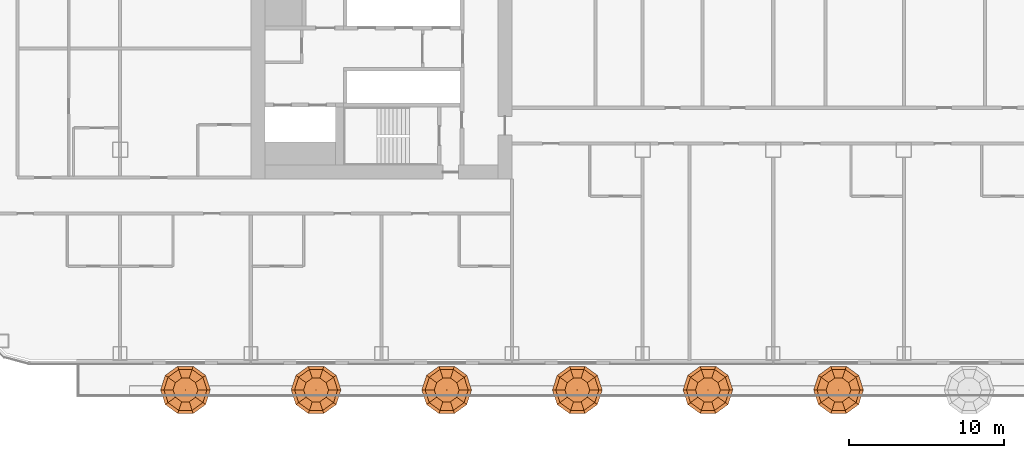
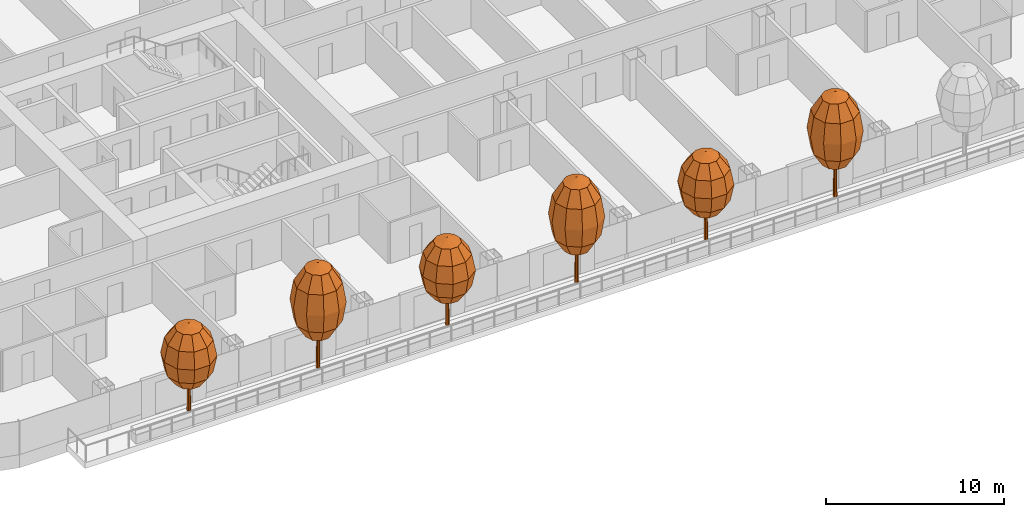
# One storey, part 32 of 35: 6 geographic elements.
"""IFC4 building model written with IfcOpenShell, lengths in metres."""

from ifc_helpers import new_model, si_unit, direction, frame, origin, place, context, subcontext, project, spatial, triangles, material, type_object, element, save


model = new_model("IFC4")

# Units and contexts
model_context = context("Model", 3, precision=1e-05, world=origin(), true_north=direction((0.0, 1.0)))
body_context = subcontext(model_context, "Body", "Model", "MODEL_VIEW")
ifc_project = project(units=[si_unit("LENGTHUNIT", "METRE"), si_unit("AREAUNIT", "SQUARE_METRE"), si_unit("VOLUMEUNIT", "CUBIC_METRE"), si_unit("PLANEANGLEUNIT", "RADIAN"), si_unit("MASSUNIT", "GRAM", prefix="KILO")], contexts=[model_context])

# Site, building, storey
site_placement = place(None, origin())
site = spatial("IfcSite", under=ifc_project, at=site_placement, CompositionType="ELEMENT")
building_placement = place(site_placement, origin())
building = spatial("IfcBuilding", under=site, at=building_placement, Name="Hakoniwa Tower and Hamabe Station Hall", CompositionType="ELEMENT")
storey_placement = place(building_placement, frame((0.0, 0.0, 51.800048828125)))
storey = spatial("IfcBuildingStorey", under=building, at=storey_placement, Name="L14", CompositionType="ELEMENT", Elevation=51.800048828125)

# Geographic elements
ifc_material_1 = material(Name="Tree foliage")
geographic_element_type_1 = type_object("IfcGeographicElementType", Name="Japanese maple 7.2 m", PredefinedType="USERDEFINED", material=ifc_material_1)
geographic_element_1_placement = place(storey_placement, frame((-29.39990234375, -21.949951171875, 0.89990234375)))
element("IfcGeographicElement", 1, at=geographic_element_1_placement, inside=storey, type_object=geographic_element_type_1, Name="Japanese maple 7-2 m", ObjectType="TREE", PredefinedType="USERDEFINED", context=body_context, shape_type="Tessellation", body=[
    triangles([(0.125, 0.0, 0.0), (0.08837890625, 0.08837890625, 0.0), (0.0, 0.125, 0.0), (-0.08837890625, 0.08837890625, 0.0), (-0.125, 0.0, 0.0), (-0.08837890625, -0.08837890625, 0.0), (0.0, -0.125, 0.0), (0.08837890625, -0.08837890625, 0.0), (0.074951171875, 0.0, 4.348876953125), (0.052978515625, 0.052978515625, 4.348876953125), (0.0, 0.074951171875, 4.348876953125), (-0.052978515625, 0.052978515625, 4.348876953125), (-0.074951171875, 0.0, 4.348876953125), (-0.052978515625, -0.052978515625, 4.348876953125), (0.0, -0.074951171875, 4.348876953125), (0.052978515625, -0.052978515625, 4.348876953125), (0.0, 0.0, 0.0), (0.0, 0.0, 4.348876953125)], [[1, 2, 10], [1, 10, 9], [17, 2, 1], [18, 9, 10], [2, 3, 11], [2, 11, 10], [17, 3, 2], [18, 10, 11], [3, 4, 12], [3, 12, 11], [17, 4, 3], [18, 11, 12], [4, 5, 13], [4, 13, 12], [17, 5, 4], [18, 12, 13], [5, 6, 14], [5, 14, 13], [17, 6, 5], [18, 13, 14], [6, 7, 15], [6, 15, 14], [17, 7, 6], [18, 14, 15], [7, 8, 16], [7, 16, 15], [17, 8, 7], [18, 15, 16], [8, 1, 9], [8, 9, 16], [17, 1, 8], [18, 16, 9]], closed=True),
    triangles([(0.0, 0.0, 2.015869140625), (0.800048828125, 0.0, 2.36328125), (0.647216796875, 0.47021484375, 2.36328125), (0.247314453125, 0.7607421875, 2.36328125), (-0.247314453125, 0.7607421875, 2.36328125), (-0.647216796875, 0.47021484375, 2.36328125), (-0.800048828125, 0.0, 2.36328125), (-0.647216796875, -0.47021484375, 2.36328125), (-0.247314453125, -0.7607421875, 2.36328125), (0.247314453125, -0.7607421875, 2.36328125), (0.647216796875, -0.47021484375, 2.36328125), (1.385498046875, 0.0, 3.31201171875), (1.12109375, 0.814453125, 3.31201171875), (0.42822265625, 1.31787109375, 3.31201171875), (-0.42822265625, 1.31787109375, 3.31201171875), (-1.12109375, 0.814453125, 3.31201171875), (-1.385498046875, 0.0, 3.31201171875), (-1.12109375, -0.814453125, 3.31201171875), (-0.42822265625, -1.31787109375, 3.31201171875), (0.42822265625, -1.31787109375, 3.31201171875), (1.12109375, -0.814453125, 3.31201171875), (1.60009765625, 0.0, 4.60791015625), (1.29443359375, 0.9404296875, 4.60791015625), (0.494384765625, 1.521728515625, 4.60791015625), (-0.494384765625, 1.521728515625, 4.60791015625), (-1.29443359375, 0.9404296875, 4.60791015625), (-1.60009765625, 0.0, 4.60791015625), (-1.29443359375, -0.9404296875, 4.60791015625), (-0.494384765625, -1.521728515625, 4.60791015625), (0.494384765625, -1.521728515625, 4.60791015625), (1.29443359375, -0.9404296875, 4.60791015625), (1.385498046875, 0.0, 5.904052734375), (1.12109375, 0.814453125, 5.904052734375), (0.42822265625, 1.31787109375, 5.904052734375), (-0.42822265625, 1.31787109375, 5.904052734375), (-1.12109375, 0.814453125, 5.904052734375), (-1.385498046875, 0.0, 5.904052734375), (-1.12109375, -0.814453125, 5.904052734375), (-0.42822265625, -1.31787109375, 5.904052734375), (0.42822265625, -1.31787109375, 5.904052734375), (1.12109375, -0.814453125, 5.904052734375), (0.800048828125, 0.0, 6.852783203125), (0.647216796875, 0.47021484375, 6.852783203125), (0.247314453125, 0.7607421875, 6.852783203125), (-0.247314453125, 0.7607421875, 6.852783203125), (-0.647216796875, 0.47021484375, 6.852783203125), (-0.800048828125, 0.0, 6.852783203125), (-0.647216796875, -0.47021484375, 6.852783203125), (-0.247314453125, -0.7607421875, 6.852783203125), (0.247314453125, -0.7607421875, 6.852783203125), (0.647216796875, -0.47021484375, 6.852783203125), (0.0, 0.0, 7.199951171875)], [[1, 3, 2], [1, 4, 3], [1, 5, 4], [1, 6, 5], [1, 7, 6], [1, 8, 7], [1, 9, 8], [1, 10, 9], [1, 11, 10], [1, 2, 11], [2, 3, 13], [2, 13, 12], [3, 4, 14], [3, 14, 13], [4, 5, 15], [4, 15, 14], [5, 6, 16], [5, 16, 15], [6, 7, 17], [6, 17, 16], [7, 8, 18], [7, 18, 17], [8, 9, 19], [8, 19, 18], [9, 10, 20], [9, 20, 19], [10, 11, 21], [10, 21, 20], [11, 2, 12], [11, 12, 21], [12, 13, 23], [12, 23, 22], [13, 14, 24], [13, 24, 23], [14, 15, 25], [14, 25, 24], [15, 16, 26], [15, 26, 25], [16, 17, 27], [16, 27, 26], [17, 18, 28], [17, 28, 27], [18, 19, 29], [18, 29, 28], [19, 20, 30], [19, 30, 29], [20, 21, 31], [20, 31, 30], [21, 12, 22], [21, 22, 31], [22, 23, 33], [22, 33, 32], [23, 24, 34], [23, 34, 33], [24, 25, 35], [24, 35, 34], [25, 26, 36], [25, 36, 35], [26, 27, 37], [26, 37, 36], [27, 28, 38], [27, 38, 37], [28, 29, 39], [28, 39, 38], [29, 30, 40], [29, 40, 39], [30, 31, 41], [30, 41, 40], [31, 22, 32], [31, 32, 41], [32, 33, 43], [32, 43, 42], [33, 34, 44], [33, 44, 43], [34, 35, 45], [34, 45, 44], [35, 36, 46], [35, 46, 45], [36, 37, 47], [36, 47, 46], [37, 38, 48], [37, 48, 47], [38, 39, 49], [38, 49, 48], [39, 40, 50], [39, 50, 49], [40, 41, 51], [40, 51, 50], [41, 32, 42], [41, 42, 51], [52, 42, 43], [52, 43, 44], [52, 44, 45], [52, 45, 46], [52, 46, 47], [52, 47, 48], [52, 48, 49], [52, 49, 50], [52, 50, 51], [52, 51, 42]], closed=True),
])
geographic_element_2_placement = place(storey_placement, frame((-12.60009765625, -21.949951171875, 0.89990234375)))
element("IfcGeographicElement", 2, at=geographic_element_2_placement, inside=storey, type_object=geographic_element_type_1, Name="Japanese maple 7-2 m", ObjectType="TREE", PredefinedType="USERDEFINED", context=body_context, shape_type="Tessellation", body=[
    triangles([(0.125, 0.0, 0.0), (0.08837890625, 0.08837890625, 0.0), (0.0, 0.125, 0.0), (-0.08837890625, 0.08837890625, 0.0), (-0.125, 0.0, 0.0), (-0.08837890625, -0.08837890625, 0.0), (0.0, -0.125, 0.0), (0.08837890625, -0.08837890625, 0.0), (0.074951171875, 0.0, 4.348876953125), (0.052978515625, 0.052978515625, 4.348876953125), (0.0, 0.074951171875, 4.348876953125), (-0.052978515625, 0.052978515625, 4.348876953125), (-0.074951171875, 0.0, 4.348876953125), (-0.052978515625, -0.052978515625, 4.348876953125), (0.0, -0.074951171875, 4.348876953125), (0.052978515625, -0.052978515625, 4.348876953125), (0.0, 0.0, 0.0), (0.0, 0.0, 4.348876953125)], [[1, 2, 10], [1, 10, 9], [17, 2, 1], [18, 9, 10], [2, 3, 11], [2, 11, 10], [17, 3, 2], [18, 10, 11], [3, 4, 12], [3, 12, 11], [17, 4, 3], [18, 11, 12], [4, 5, 13], [4, 13, 12], [17, 5, 4], [18, 12, 13], [5, 6, 14], [5, 14, 13], [17, 6, 5], [18, 13, 14], [6, 7, 15], [6, 15, 14], [17, 7, 6], [18, 14, 15], [7, 8, 16], [7, 16, 15], [17, 8, 7], [18, 15, 16], [8, 1, 9], [8, 9, 16], [17, 1, 8], [18, 16, 9]], closed=True),
    triangles([(0.0, 0.0, 2.015869140625), (0.800048828125, 0.0, 2.36328125), (0.647216796875, 0.47021484375, 2.36328125), (0.247314453125, 0.7607421875, 2.36328125), (-0.247314453125, 0.7607421875, 2.36328125), (-0.647216796875, 0.47021484375, 2.36328125), (-0.800048828125, 0.0, 2.36328125), (-0.647216796875, -0.47021484375, 2.36328125), (-0.247314453125, -0.7607421875, 2.36328125), (0.247314453125, -0.7607421875, 2.36328125), (0.647216796875, -0.47021484375, 2.36328125), (1.385498046875, 0.0, 3.31201171875), (1.12109375, 0.814453125, 3.31201171875), (0.42822265625, 1.31787109375, 3.31201171875), (-0.42822265625, 1.31787109375, 3.31201171875), (-1.12109375, 0.814453125, 3.31201171875), (-1.385498046875, 0.0, 3.31201171875), (-1.12109375, -0.814453125, 3.31201171875), (-0.42822265625, -1.31787109375, 3.31201171875), (0.42822265625, -1.31787109375, 3.31201171875), (1.12109375, -0.814453125, 3.31201171875), (1.60009765625, 0.0, 4.60791015625), (1.29443359375, 0.9404296875, 4.60791015625), (0.494384765625, 1.521728515625, 4.60791015625), (-0.494384765625, 1.521728515625, 4.60791015625), (-1.29443359375, 0.9404296875, 4.60791015625), (-1.60009765625, 0.0, 4.60791015625), (-1.29443359375, -0.9404296875, 4.60791015625), (-0.494384765625, -1.521728515625, 4.60791015625), (0.494384765625, -1.521728515625, 4.60791015625), (1.29443359375, -0.9404296875, 4.60791015625), (1.385498046875, 0.0, 5.904052734375), (1.12109375, 0.814453125, 5.904052734375), (0.42822265625, 1.31787109375, 5.904052734375), (-0.42822265625, 1.31787109375, 5.904052734375), (-1.12109375, 0.814453125, 5.904052734375), (-1.385498046875, 0.0, 5.904052734375), (-1.12109375, -0.814453125, 5.904052734375), (-0.42822265625, -1.31787109375, 5.904052734375), (0.42822265625, -1.31787109375, 5.904052734375), (1.12109375, -0.814453125, 5.904052734375), (0.800048828125, 0.0, 6.852783203125), (0.647216796875, 0.47021484375, 6.852783203125), (0.247314453125, 0.7607421875, 6.852783203125), (-0.247314453125, 0.7607421875, 6.852783203125), (-0.647216796875, 0.47021484375, 6.852783203125), (-0.800048828125, 0.0, 6.852783203125), (-0.647216796875, -0.47021484375, 6.852783203125), (-0.247314453125, -0.7607421875, 6.852783203125), (0.247314453125, -0.7607421875, 6.852783203125), (0.647216796875, -0.47021484375, 6.852783203125), (0.0, 0.0, 7.199951171875)], [[1, 3, 2], [1, 4, 3], [1, 5, 4], [1, 6, 5], [1, 7, 6], [1, 8, 7], [1, 9, 8], [1, 10, 9], [1, 11, 10], [1, 2, 11], [2, 3, 13], [2, 13, 12], [3, 4, 14], [3, 14, 13], [4, 5, 15], [4, 15, 14], [5, 6, 16], [5, 16, 15], [6, 7, 17], [6, 17, 16], [7, 8, 18], [7, 18, 17], [8, 9, 19], [8, 19, 18], [9, 10, 20], [9, 20, 19], [10, 11, 21], [10, 21, 20], [11, 2, 12], [11, 12, 21], [12, 13, 23], [12, 23, 22], [13, 14, 24], [13, 24, 23], [14, 15, 25], [14, 25, 24], [15, 16, 26], [15, 26, 25], [16, 17, 27], [16, 27, 26], [17, 18, 28], [17, 28, 27], [18, 19, 29], [18, 29, 28], [19, 20, 30], [19, 30, 29], [20, 21, 31], [20, 31, 30], [21, 12, 22], [21, 22, 31], [22, 23, 33], [22, 33, 32], [23, 24, 34], [23, 34, 33], [24, 25, 35], [24, 35, 34], [25, 26, 36], [25, 36, 35], [26, 27, 37], [26, 37, 36], [27, 28, 38], [27, 38, 37], [28, 29, 39], [28, 39, 38], [29, 30, 40], [29, 40, 39], [30, 31, 41], [30, 41, 40], [31, 22, 32], [31, 32, 41], [32, 33, 43], [32, 43, 42], [33, 34, 44], [33, 44, 43], [34, 35, 45], [34, 45, 44], [35, 36, 46], [35, 46, 45], [36, 37, 47], [36, 47, 46], [37, 38, 48], [37, 48, 47], [38, 39, 49], [38, 49, 48], [39, 40, 50], [39, 50, 49], [40, 41, 51], [40, 51, 50], [41, 32, 42], [41, 42, 51], [52, 42, 43], [52, 43, 44], [52, 44, 45], [52, 45, 46], [52, 46, 47], [52, 47, 48], [52, 48, 49], [52, 49, 50], [52, 50, 51], [52, 51, 42]], closed=True),
])
geographic_element_3_placement = place(storey_placement, frame((4.199951171875, -21.949951171875, 0.89990234375)))
element("IfcGeographicElement", 3, at=geographic_element_3_placement, inside=storey, type_object=geographic_element_type_1, Name="Japanese maple 7-2 m", ObjectType="TREE", PredefinedType="USERDEFINED", context=body_context, shape_type="Tessellation", body=[
    triangles([(0.125, 0.0, 0.0), (0.08837890625, 0.08837890625, 0.0), (0.0, 0.125, 0.0), (-0.08837890625, 0.08837890625, 0.0), (-0.125, 0.0, 0.0), (-0.08837890625, -0.08837890625, 0.0), (0.0, -0.125, 0.0), (0.08837890625, -0.08837890625, 0.0), (0.074951171875, 0.0, 4.348876953125), (0.052978515625, 0.052978515625, 4.348876953125), (0.0, 0.074951171875, 4.348876953125), (-0.052978515625, 0.052978515625, 4.348876953125), (-0.074951171875, 0.0, 4.348876953125), (-0.052978515625, -0.052978515625, 4.348876953125), (0.0, -0.074951171875, 4.348876953125), (0.052978515625, -0.052978515625, 4.348876953125), (0.0, 0.0, 0.0), (0.0, 0.0, 4.348876953125)], [[1, 2, 10], [1, 10, 9], [17, 2, 1], [18, 9, 10], [2, 3, 11], [2, 11, 10], [17, 3, 2], [18, 10, 11], [3, 4, 12], [3, 12, 11], [17, 4, 3], [18, 11, 12], [4, 5, 13], [4, 13, 12], [17, 5, 4], [18, 12, 13], [5, 6, 14], [5, 14, 13], [17, 6, 5], [18, 13, 14], [6, 7, 15], [6, 15, 14], [17, 7, 6], [18, 14, 15], [7, 8, 16], [7, 16, 15], [17, 8, 7], [18, 15, 16], [8, 1, 9], [8, 9, 16], [17, 1, 8], [18, 16, 9]], closed=True),
    triangles([(0.0, 0.0, 2.015869140625), (0.800048828125, 0.0, 2.36328125), (0.647216796875, 0.47021484375, 2.36328125), (0.247314453125, 0.7607421875, 2.36328125), (-0.247314453125, 0.7607421875, 2.36328125), (-0.647216796875, 0.47021484375, 2.36328125), (-0.800048828125, 0.0, 2.36328125), (-0.647216796875, -0.47021484375, 2.36328125), (-0.247314453125, -0.7607421875, 2.36328125), (0.247314453125, -0.7607421875, 2.36328125), (0.647216796875, -0.47021484375, 2.36328125), (1.385498046875, 0.0, 3.31201171875), (1.12109375, 0.814453125, 3.31201171875), (0.42822265625, 1.31787109375, 3.31201171875), (-0.42822265625, 1.31787109375, 3.31201171875), (-1.12109375, 0.814453125, 3.31201171875), (-1.385498046875, 0.0, 3.31201171875), (-1.12109375, -0.814453125, 3.31201171875), (-0.42822265625, -1.31787109375, 3.31201171875), (0.42822265625, -1.31787109375, 3.31201171875), (1.12109375, -0.814453125, 3.31201171875), (1.60009765625, 0.0, 4.60791015625), (1.29443359375, 0.9404296875, 4.60791015625), (0.494384765625, 1.521728515625, 4.60791015625), (-0.494384765625, 1.521728515625, 4.60791015625), (-1.29443359375, 0.9404296875, 4.60791015625), (-1.60009765625, 0.0, 4.60791015625), (-1.29443359375, -0.9404296875, 4.60791015625), (-0.494384765625, -1.521728515625, 4.60791015625), (0.494384765625, -1.521728515625, 4.60791015625), (1.29443359375, -0.9404296875, 4.60791015625), (1.385498046875, 0.0, 5.904052734375), (1.12109375, 0.814453125, 5.904052734375), (0.42822265625, 1.31787109375, 5.904052734375), (-0.42822265625, 1.31787109375, 5.904052734375), (-1.12109375, 0.814453125, 5.904052734375), (-1.385498046875, 0.0, 5.904052734375), (-1.12109375, -0.814453125, 5.904052734375), (-0.42822265625, -1.31787109375, 5.904052734375), (0.42822265625, -1.31787109375, 5.904052734375), (1.12109375, -0.814453125, 5.904052734375), (0.800048828125, 0.0, 6.852783203125), (0.647216796875, 0.47021484375, 6.852783203125), (0.247314453125, 0.7607421875, 6.852783203125), (-0.247314453125, 0.7607421875, 6.852783203125), (-0.647216796875, 0.47021484375, 6.852783203125), (-0.800048828125, 0.0, 6.852783203125), (-0.647216796875, -0.47021484375, 6.852783203125), (-0.247314453125, -0.7607421875, 6.852783203125), (0.247314453125, -0.7607421875, 6.852783203125), (0.647216796875, -0.47021484375, 6.852783203125), (0.0, 0.0, 7.199951171875)], [[1, 3, 2], [1, 4, 3], [1, 5, 4], [1, 6, 5], [1, 7, 6], [1, 8, 7], [1, 9, 8], [1, 10, 9], [1, 11, 10], [1, 2, 11], [2, 3, 13], [2, 13, 12], [3, 4, 14], [3, 14, 13], [4, 5, 15], [4, 15, 14], [5, 6, 16], [5, 16, 15], [6, 7, 17], [6, 17, 16], [7, 8, 18], [7, 18, 17], [8, 9, 19], [8, 19, 18], [9, 10, 20], [9, 20, 19], [10, 11, 21], [10, 21, 20], [11, 2, 12], [11, 12, 21], [12, 13, 23], [12, 23, 22], [13, 14, 24], [13, 24, 23], [14, 15, 25], [14, 25, 24], [15, 16, 26], [15, 26, 25], [16, 17, 27], [16, 27, 26], [17, 18, 28], [17, 28, 27], [18, 19, 29], [18, 29, 28], [19, 20, 30], [19, 30, 29], [20, 21, 31], [20, 31, 30], [21, 12, 22], [21, 22, 31], [22, 23, 33], [22, 33, 32], [23, 24, 34], [23, 34, 33], [24, 25, 35], [24, 35, 34], [25, 26, 36], [25, 36, 35], [26, 27, 37], [26, 37, 36], [27, 28, 38], [27, 38, 37], [28, 29, 39], [28, 39, 38], [29, 30, 40], [29, 40, 39], [30, 31, 41], [30, 41, 40], [31, 22, 32], [31, 32, 41], [32, 33, 43], [32, 43, 42], [33, 34, 44], [33, 44, 43], [34, 35, 45], [34, 45, 44], [35, 36, 46], [35, 46, 45], [36, 37, 47], [36, 47, 46], [37, 38, 48], [37, 48, 47], [38, 39, 49], [38, 49, 48], [39, 40, 50], [39, 50, 49], [40, 41, 51], [40, 51, 50], [41, 32, 42], [41, 42, 51], [52, 42, 43], [52, 43, 44], [52, 44, 45], [52, 45, 46], [52, 46, 47], [52, 47, 48], [52, 48, 49], [52, 49, 50], [52, 50, 51], [52, 51, 42]], closed=True),
])
ifc_material_2 = material(Name="Tree foliage")
geographic_element_type_2 = type_object("IfcGeographicElementType", Name="Osmanthus 6.0 m", PredefinedType="USERDEFINED", material=ifc_material_2)
geographic_element_4_placement = place(storey_placement, frame((-37.800048828125, -21.949951171875, 0.89990234375)))
element("IfcGeographicElement", 4, at=geographic_element_4_placement, inside=storey, type_object=geographic_element_type_2, Name="Osmanthus 6-0 m", ObjectType="TREE", PredefinedType="USERDEFINED", context=body_context, shape_type="Tessellation", body=[
    triangles([(0.125, 0.0, 0.0), (0.08837890625, 0.08837890625, 0.0), (0.0, 0.125, 0.0), (-0.08837890625, 0.08837890625, 0.0), (-0.125, 0.0, 0.0), (-0.08837890625, -0.08837890625, 0.0), (0.0, -0.125, 0.0), (0.08837890625, -0.08837890625, 0.0), (0.074951171875, 0.0, 3.6240234375), (0.052978515625, 0.052978515625, 3.6240234375), (0.0, 0.074951171875, 3.6240234375), (-0.052978515625, 0.052978515625, 3.6240234375), (-0.074951171875, 0.0, 3.6240234375), (-0.052978515625, -0.052978515625, 3.6240234375), (0.0, -0.074951171875, 3.6240234375), (0.052978515625, -0.052978515625, 3.6240234375), (0.0, 0.0, 0.0), (0.0, 0.0, 3.6240234375)], [[1, 2, 10], [1, 10, 9], [17, 2, 1], [18, 9, 10], [2, 3, 11], [2, 11, 10], [17, 3, 2], [18, 10, 11], [3, 4, 12], [3, 12, 11], [17, 4, 3], [18, 11, 12], [4, 5, 13], [4, 13, 12], [17, 5, 4], [18, 12, 13], [5, 6, 14], [5, 14, 13], [17, 6, 5], [18, 13, 14], [6, 7, 15], [6, 15, 14], [17, 7, 6], [18, 14, 15], [7, 8, 16], [7, 16, 15], [17, 8, 7], [18, 15, 16], [8, 1, 9], [8, 9, 16], [17, 1, 8], [18, 16, 9]], closed=True),
    triangles([(0.0, 0.0, 1.679931640625), (0.800048828125, 0.0, 1.969482421875), (0.647216796875, 0.47021484375, 1.969482421875), (0.247314453125, 0.7607421875, 1.969482421875), (-0.247314453125, 0.7607421875, 1.969482421875), (-0.647216796875, 0.47021484375, 1.969482421875), (-0.800048828125, 0.0, 1.969482421875), (-0.647216796875, -0.47021484375, 1.969482421875), (-0.247314453125, -0.7607421875, 1.969482421875), (0.247314453125, -0.7607421875, 1.969482421875), (0.647216796875, -0.47021484375, 1.969482421875), (1.385498046875, 0.0, 2.760009765625), (1.12109375, 0.814453125, 2.760009765625), (0.42822265625, 1.31787109375, 2.760009765625), (-0.42822265625, 1.31787109375, 2.760009765625), (-1.12109375, 0.814453125, 2.760009765625), (-1.385498046875, 0.0, 2.760009765625), (-1.12109375, -0.814453125, 2.760009765625), (-0.42822265625, -1.31787109375, 2.760009765625), (0.42822265625, -1.31787109375, 2.760009765625), (1.12109375, -0.814453125, 2.760009765625), (1.60009765625, 0.0, 3.840087890625), (1.29443359375, 0.9404296875, 3.840087890625), (0.494384765625, 1.521728515625, 3.840087890625), (-0.494384765625, 1.521728515625, 3.840087890625), (-1.29443359375, 0.9404296875, 3.840087890625), (-1.60009765625, 0.0, 3.840087890625), (-1.29443359375, -0.9404296875, 3.840087890625), (-0.494384765625, -1.521728515625, 3.840087890625), (0.494384765625, -1.521728515625, 3.840087890625), (1.29443359375, -0.9404296875, 3.840087890625), (1.385498046875, 0.0, 4.919921875), (1.12109375, 0.814453125, 4.919921875), (0.42822265625, 1.31787109375, 4.919921875), (-0.42822265625, 1.31787109375, 4.919921875), (-1.12109375, 0.814453125, 4.919921875), (-1.385498046875, 0.0, 4.919921875), (-1.12109375, -0.814453125, 4.919921875), (-0.42822265625, -1.31787109375, 4.919921875), (0.42822265625, -1.31787109375, 4.919921875), (1.12109375, -0.814453125, 4.919921875), (0.800048828125, 0.0, 5.710693359375), (0.647216796875, 0.47021484375, 5.710693359375), (0.247314453125, 0.7607421875, 5.710693359375), (-0.247314453125, 0.7607421875, 5.710693359375), (-0.647216796875, 0.47021484375, 5.710693359375), (-0.800048828125, 0.0, 5.710693359375), (-0.647216796875, -0.47021484375, 5.710693359375), (-0.247314453125, -0.7607421875, 5.710693359375), (0.247314453125, -0.7607421875, 5.710693359375), (0.647216796875, -0.47021484375, 5.710693359375), (0.0, 0.0, 6.0)], [[1, 3, 2], [1, 4, 3], [1, 5, 4], [1, 6, 5], [1, 7, 6], [1, 8, 7], [1, 9, 8], [1, 10, 9], [1, 11, 10], [1, 2, 11], [2, 3, 13], [2, 13, 12], [3, 4, 14], [3, 14, 13], [4, 5, 15], [4, 15, 14], [5, 6, 16], [5, 16, 15], [6, 7, 17], [6, 17, 16], [7, 8, 18], [7, 18, 17], [8, 9, 19], [8, 19, 18], [9, 10, 20], [9, 20, 19], [10, 11, 21], [10, 21, 20], [11, 2, 12], [11, 12, 21], [12, 13, 23], [12, 23, 22], [13, 14, 24], [13, 24, 23], [14, 15, 25], [14, 25, 24], [15, 16, 26], [15, 26, 25], [16, 17, 27], [16, 27, 26], [17, 18, 28], [17, 28, 27], [18, 19, 29], [18, 29, 28], [19, 20, 30], [19, 30, 29], [20, 21, 31], [20, 31, 30], [21, 12, 22], [21, 22, 31], [22, 23, 33], [22, 33, 32], [23, 24, 34], [23, 34, 33], [24, 25, 35], [24, 35, 34], [25, 26, 36], [25, 36, 35], [26, 27, 37], [26, 37, 36], [27, 28, 38], [27, 38, 37], [28, 29, 39], [28, 39, 38], [29, 30, 40], [29, 40, 39], [30, 31, 41], [30, 41, 40], [31, 22, 32], [31, 32, 41], [32, 33, 43], [32, 43, 42], [33, 34, 44], [33, 44, 43], [34, 35, 45], [34, 45, 44], [35, 36, 46], [35, 46, 45], [36, 37, 47], [36, 47, 46], [37, 38, 48], [37, 48, 47], [38, 39, 49], [38, 49, 48], [39, 40, 50], [39, 50, 49], [40, 41, 51], [40, 51, 50], [41, 32, 42], [41, 42, 51], [52, 42, 43], [52, 43, 44], [52, 44, 45], [52, 45, 46], [52, 46, 47], [52, 47, 48], [52, 48, 49], [52, 49, 50], [52, 50, 51], [52, 51, 42]], closed=True),
])
geographic_element_5_placement = place(storey_placement, frame((-21.0, -21.949951171875, 0.89990234375)))
element("IfcGeographicElement", 5, at=geographic_element_5_placement, inside=storey, type_object=geographic_element_type_2, Name="Osmanthus 6-0 m", ObjectType="TREE", PredefinedType="USERDEFINED", context=body_context, shape_type="Tessellation", body=[
    triangles([(0.125, 0.0, 0.0), (0.08837890625, 0.08837890625, 0.0), (0.0, 0.125, 0.0), (-0.08837890625, 0.08837890625, 0.0), (-0.125, 0.0, 0.0), (-0.08837890625, -0.08837890625, 0.0), (0.0, -0.125, 0.0), (0.08837890625, -0.08837890625, 0.0), (0.074951171875, 0.0, 3.6240234375), (0.052978515625, 0.052978515625, 3.6240234375), (0.0, 0.074951171875, 3.6240234375), (-0.052978515625, 0.052978515625, 3.6240234375), (-0.074951171875, 0.0, 3.6240234375), (-0.052978515625, -0.052978515625, 3.6240234375), (0.0, -0.074951171875, 3.6240234375), (0.052978515625, -0.052978515625, 3.6240234375), (0.0, 0.0, 0.0), (0.0, 0.0, 3.6240234375)], [[1, 2, 10], [1, 10, 9], [17, 2, 1], [18, 9, 10], [2, 3, 11], [2, 11, 10], [17, 3, 2], [18, 10, 11], [3, 4, 12], [3, 12, 11], [17, 4, 3], [18, 11, 12], [4, 5, 13], [4, 13, 12], [17, 5, 4], [18, 12, 13], [5, 6, 14], [5, 14, 13], [17, 6, 5], [18, 13, 14], [6, 7, 15], [6, 15, 14], [17, 7, 6], [18, 14, 15], [7, 8, 16], [7, 16, 15], [17, 8, 7], [18, 15, 16], [8, 1, 9], [8, 9, 16], [17, 1, 8], [18, 16, 9]], closed=True),
    triangles([(0.0, 0.0, 1.679931640625), (0.800048828125, 0.0, 1.969482421875), (0.647216796875, 0.47021484375, 1.969482421875), (0.247314453125, 0.7607421875, 1.969482421875), (-0.247314453125, 0.7607421875, 1.969482421875), (-0.647216796875, 0.47021484375, 1.969482421875), (-0.800048828125, 0.0, 1.969482421875), (-0.647216796875, -0.47021484375, 1.969482421875), (-0.247314453125, -0.7607421875, 1.969482421875), (0.247314453125, -0.7607421875, 1.969482421875), (0.647216796875, -0.47021484375, 1.969482421875), (1.385498046875, 0.0, 2.760009765625), (1.12109375, 0.814453125, 2.760009765625), (0.42822265625, 1.31787109375, 2.760009765625), (-0.42822265625, 1.31787109375, 2.760009765625), (-1.12109375, 0.814453125, 2.760009765625), (-1.385498046875, 0.0, 2.760009765625), (-1.12109375, -0.814453125, 2.760009765625), (-0.42822265625, -1.31787109375, 2.760009765625), (0.42822265625, -1.31787109375, 2.760009765625), (1.12109375, -0.814453125, 2.760009765625), (1.60009765625, 0.0, 3.840087890625), (1.29443359375, 0.9404296875, 3.840087890625), (0.494384765625, 1.521728515625, 3.840087890625), (-0.494384765625, 1.521728515625, 3.840087890625), (-1.29443359375, 0.9404296875, 3.840087890625), (-1.60009765625, 0.0, 3.840087890625), (-1.29443359375, -0.9404296875, 3.840087890625), (-0.494384765625, -1.521728515625, 3.840087890625), (0.494384765625, -1.521728515625, 3.840087890625), (1.29443359375, -0.9404296875, 3.840087890625), (1.385498046875, 0.0, 4.919921875), (1.12109375, 0.814453125, 4.919921875), (0.42822265625, 1.31787109375, 4.919921875), (-0.42822265625, 1.31787109375, 4.919921875), (-1.12109375, 0.814453125, 4.919921875), (-1.385498046875, 0.0, 4.919921875), (-1.12109375, -0.814453125, 4.919921875), (-0.42822265625, -1.31787109375, 4.919921875), (0.42822265625, -1.31787109375, 4.919921875), (1.12109375, -0.814453125, 4.919921875), (0.800048828125, 0.0, 5.710693359375), (0.647216796875, 0.47021484375, 5.710693359375), (0.247314453125, 0.7607421875, 5.710693359375), (-0.247314453125, 0.7607421875, 5.710693359375), (-0.647216796875, 0.47021484375, 5.710693359375), (-0.800048828125, 0.0, 5.710693359375), (-0.647216796875, -0.47021484375, 5.710693359375), (-0.247314453125, -0.7607421875, 5.710693359375), (0.247314453125, -0.7607421875, 5.710693359375), (0.647216796875, -0.47021484375, 5.710693359375), (0.0, 0.0, 6.0)], [[1, 3, 2], [1, 4, 3], [1, 5, 4], [1, 6, 5], [1, 7, 6], [1, 8, 7], [1, 9, 8], [1, 10, 9], [1, 11, 10], [1, 2, 11], [2, 3, 13], [2, 13, 12], [3, 4, 14], [3, 14, 13], [4, 5, 15], [4, 15, 14], [5, 6, 16], [5, 16, 15], [6, 7, 17], [6, 17, 16], [7, 8, 18], [7, 18, 17], [8, 9, 19], [8, 19, 18], [9, 10, 20], [9, 20, 19], [10, 11, 21], [10, 21, 20], [11, 2, 12], [11, 12, 21], [12, 13, 23], [12, 23, 22], [13, 14, 24], [13, 24, 23], [14, 15, 25], [14, 25, 24], [15, 16, 26], [15, 26, 25], [16, 17, 27], [16, 27, 26], [17, 18, 28], [17, 28, 27], [18, 19, 29], [18, 29, 28], [19, 20, 30], [19, 30, 29], [20, 21, 31], [20, 31, 30], [21, 12, 22], [21, 22, 31], [22, 23, 33], [22, 33, 32], [23, 24, 34], [23, 34, 33], [24, 25, 35], [24, 35, 34], [25, 26, 36], [25, 36, 35], [26, 27, 37], [26, 37, 36], [27, 28, 38], [27, 38, 37], [28, 29, 39], [28, 39, 38], [29, 30, 40], [29, 40, 39], [30, 31, 41], [30, 41, 40], [31, 22, 32], [31, 32, 41], [32, 33, 43], [32, 43, 42], [33, 34, 44], [33, 44, 43], [34, 35, 45], [34, 45, 44], [35, 36, 46], [35, 46, 45], [36, 37, 47], [36, 47, 46], [37, 38, 48], [37, 48, 47], [38, 39, 49], [38, 49, 48], [39, 40, 50], [39, 50, 49], [40, 41, 51], [40, 51, 50], [41, 32, 42], [41, 42, 51], [52, 42, 43], [52, 43, 44], [52, 44, 45], [52, 45, 46], [52, 46, 47], [52, 47, 48], [52, 48, 49], [52, 49, 50], [52, 50, 51], [52, 51, 42]], closed=True),
])
geographic_element_6_placement = place(storey_placement, frame((-4.199951171875, -21.949951171875, 0.89990234375)))
element("IfcGeographicElement", 6, at=geographic_element_6_placement, inside=storey, type_object=geographic_element_type_2, Name="Osmanthus 6-0 m", ObjectType="TREE", PredefinedType="USERDEFINED", context=body_context, shape_type="Tessellation", body=[
    triangles([(0.125, 0.0, 0.0), (0.08837890625, 0.08837890625, 0.0), (0.0, 0.125, 0.0), (-0.08837890625, 0.08837890625, 0.0), (-0.125, 0.0, 0.0), (-0.08837890625, -0.08837890625, 0.0), (0.0, -0.125, 0.0), (0.08837890625, -0.08837890625, 0.0), (0.074951171875, 0.0, 3.6240234375), (0.052978515625, 0.052978515625, 3.6240234375), (0.0, 0.074951171875, 3.6240234375), (-0.052978515625, 0.052978515625, 3.6240234375), (-0.074951171875, 0.0, 3.6240234375), (-0.052978515625, -0.052978515625, 3.6240234375), (0.0, -0.074951171875, 3.6240234375), (0.052978515625, -0.052978515625, 3.6240234375), (0.0, 0.0, 0.0), (0.0, 0.0, 3.6240234375)], [[1, 2, 10], [1, 10, 9], [17, 2, 1], [18, 9, 10], [2, 3, 11], [2, 11, 10], [17, 3, 2], [18, 10, 11], [3, 4, 12], [3, 12, 11], [17, 4, 3], [18, 11, 12], [4, 5, 13], [4, 13, 12], [17, 5, 4], [18, 12, 13], [5, 6, 14], [5, 14, 13], [17, 6, 5], [18, 13, 14], [6, 7, 15], [6, 15, 14], [17, 7, 6], [18, 14, 15], [7, 8, 16], [7, 16, 15], [17, 8, 7], [18, 15, 16], [8, 1, 9], [8, 9, 16], [17, 1, 8], [18, 16, 9]], closed=True),
    triangles([(0.0, 0.0, 1.679931640625), (0.800048828125, 0.0, 1.969482421875), (0.647216796875, 0.47021484375, 1.969482421875), (0.247314453125, 0.7607421875, 1.969482421875), (-0.247314453125, 0.7607421875, 1.969482421875), (-0.647216796875, 0.47021484375, 1.969482421875), (-0.800048828125, 0.0, 1.969482421875), (-0.647216796875, -0.47021484375, 1.969482421875), (-0.247314453125, -0.7607421875, 1.969482421875), (0.247314453125, -0.7607421875, 1.969482421875), (0.647216796875, -0.47021484375, 1.969482421875), (1.385498046875, 0.0, 2.760009765625), (1.12109375, 0.814453125, 2.760009765625), (0.42822265625, 1.31787109375, 2.760009765625), (-0.42822265625, 1.31787109375, 2.760009765625), (-1.12109375, 0.814453125, 2.760009765625), (-1.385498046875, 0.0, 2.760009765625), (-1.12109375, -0.814453125, 2.760009765625), (-0.42822265625, -1.31787109375, 2.760009765625), (0.42822265625, -1.31787109375, 2.760009765625), (1.12109375, -0.814453125, 2.760009765625), (1.60009765625, 0.0, 3.840087890625), (1.29443359375, 0.9404296875, 3.840087890625), (0.494384765625, 1.521728515625, 3.840087890625), (-0.494384765625, 1.521728515625, 3.840087890625), (-1.29443359375, 0.9404296875, 3.840087890625), (-1.60009765625, 0.0, 3.840087890625), (-1.29443359375, -0.9404296875, 3.840087890625), (-0.494384765625, -1.521728515625, 3.840087890625), (0.494384765625, -1.521728515625, 3.840087890625), (1.29443359375, -0.9404296875, 3.840087890625), (1.385498046875, 0.0, 4.919921875), (1.12109375, 0.814453125, 4.919921875), (0.42822265625, 1.31787109375, 4.919921875), (-0.42822265625, 1.31787109375, 4.919921875), (-1.12109375, 0.814453125, 4.919921875), (-1.385498046875, 0.0, 4.919921875), (-1.12109375, -0.814453125, 4.919921875), (-0.42822265625, -1.31787109375, 4.919921875), (0.42822265625, -1.31787109375, 4.919921875), (1.12109375, -0.814453125, 4.919921875), (0.800048828125, 0.0, 5.710693359375), (0.647216796875, 0.47021484375, 5.710693359375), (0.247314453125, 0.7607421875, 5.710693359375), (-0.247314453125, 0.7607421875, 5.710693359375), (-0.647216796875, 0.47021484375, 5.710693359375), (-0.800048828125, 0.0, 5.710693359375), (-0.647216796875, -0.47021484375, 5.710693359375), (-0.247314453125, -0.7607421875, 5.710693359375), (0.247314453125, -0.7607421875, 5.710693359375), (0.647216796875, -0.47021484375, 5.710693359375), (0.0, 0.0, 6.0)], [[1, 3, 2], [1, 4, 3], [1, 5, 4], [1, 6, 5], [1, 7, 6], [1, 8, 7], [1, 9, 8], [1, 10, 9], [1, 11, 10], [1, 2, 11], [2, 3, 13], [2, 13, 12], [3, 4, 14], [3, 14, 13], [4, 5, 15], [4, 15, 14], [5, 6, 16], [5, 16, 15], [6, 7, 17], [6, 17, 16], [7, 8, 18], [7, 18, 17], [8, 9, 19], [8, 19, 18], [9, 10, 20], [9, 20, 19], [10, 11, 21], [10, 21, 20], [11, 2, 12], [11, 12, 21], [12, 13, 23], [12, 23, 22], [13, 14, 24], [13, 24, 23], [14, 15, 25], [14, 25, 24], [15, 16, 26], [15, 26, 25], [16, 17, 27], [16, 27, 26], [17, 18, 28], [17, 28, 27], [18, 19, 29], [18, 29, 28], [19, 20, 30], [19, 30, 29], [20, 21, 31], [20, 31, 30], [21, 12, 22], [21, 22, 31], [22, 23, 33], [22, 33, 32], [23, 24, 34], [23, 34, 33], [24, 25, 35], [24, 35, 34], [25, 26, 36], [25, 36, 35], [26, 27, 37], [26, 37, 36], [27, 28, 38], [27, 38, 37], [28, 29, 39], [28, 39, 38], [29, 30, 40], [29, 40, 39], [30, 31, 41], [30, 41, 40], [31, 22, 32], [31, 32, 41], [32, 33, 43], [32, 43, 42], [33, 34, 44], [33, 44, 43], [34, 35, 45], [34, 45, 44], [35, 36, 46], [35, 46, 45], [36, 37, 47], [36, 47, 46], [37, 38, 48], [37, 48, 47], [38, 39, 49], [38, 49, 48], [39, 40, 50], [39, 50, 49], [40, 41, 51], [40, 51, 50], [41, 32, 42], [41, 42, 51], [52, 42, 43], [52, 43, 44], [52, 44, 45], [52, 45, 46], [52, 46, 47], [52, 47, 48], [52, 48, 49], [52, 49, 50], [52, 50, 51], [52, 51, 42]], closed=True),
])

save(model, "model.ifc")
